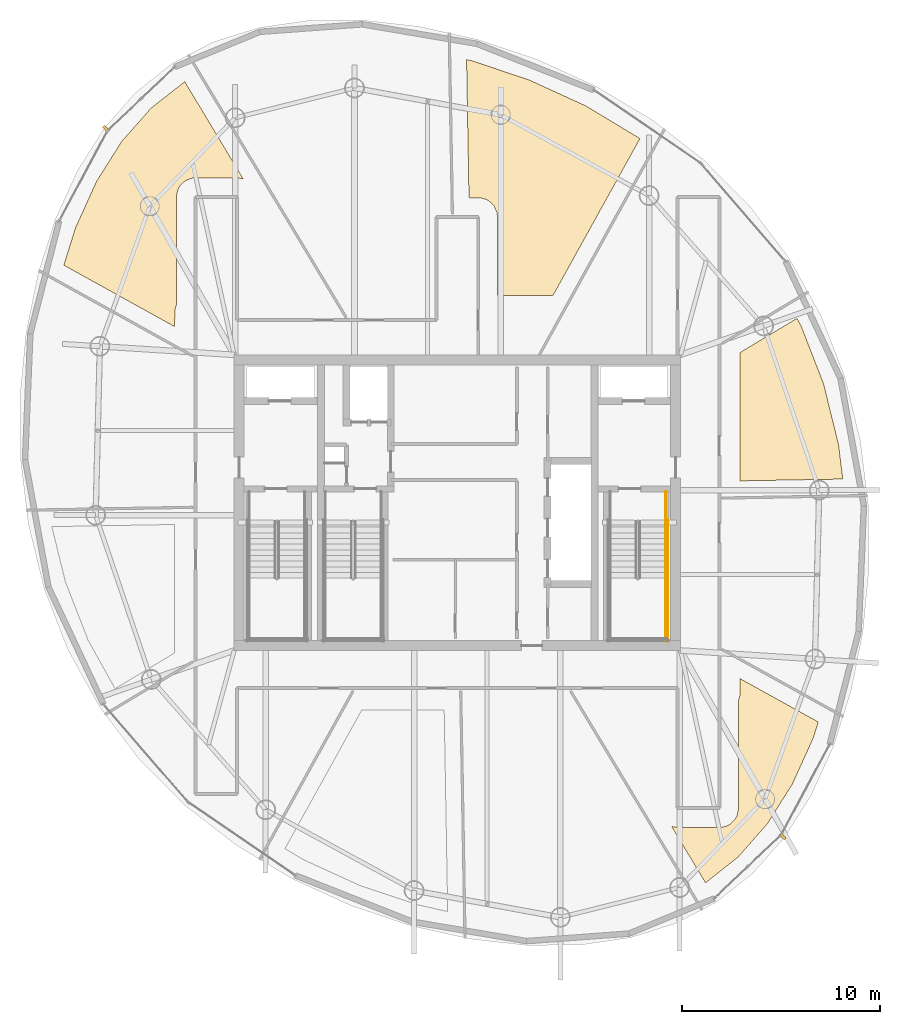
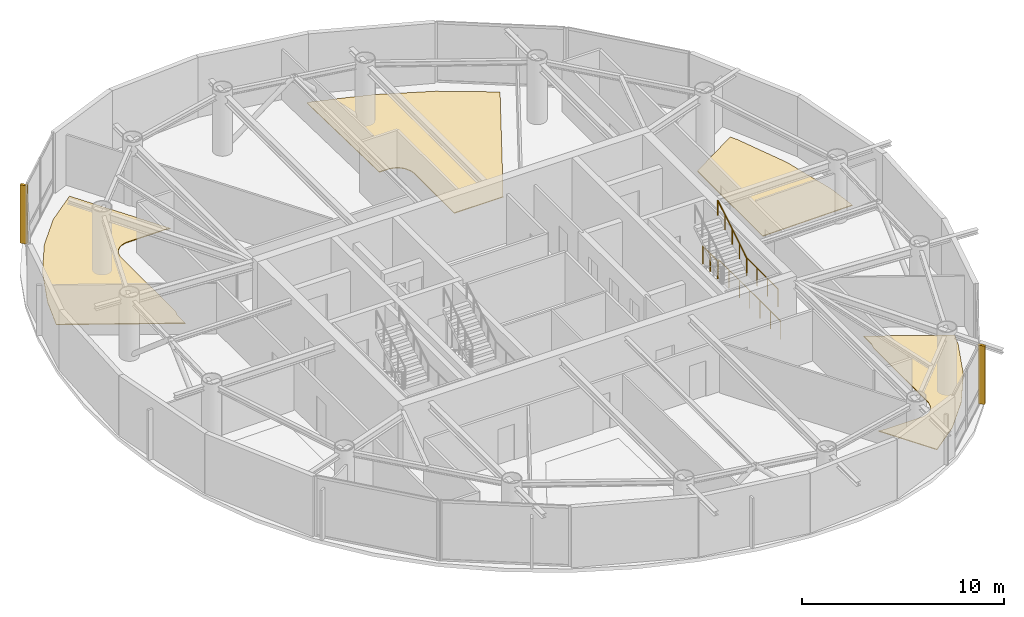
# One storey, part 16 of 16: 4 coverings, 4 railings, 2 shading devices.
"""IFC4 building model written with IfcOpenShell, lengths in metres."""

from ifc_helpers import new_model, si_unit, direction, frame, origin, origin_2d, place, context, subcontext, project, spatial, polyline, rectangle, circle, outline, extrude, material, layer, layer_set, type_object, element, save


model = new_model("IFC4")

# Units and contexts
model_context = context("Model", 3, precision=1e-05, world=origin(), true_north=direction((0.0, 1.0)))
body_context = subcontext(model_context, "Body", "Model", "MODEL_VIEW")
ifc_project = project(units=[si_unit("LENGTHUNIT", "METRE"), si_unit("AREAUNIT", "SQUARE_METRE"), si_unit("VOLUMEUNIT", "CUBIC_METRE"), si_unit("PLANEANGLEUNIT", "RADIAN"), si_unit("MASSUNIT", "GRAM", prefix="KILO")], contexts=[model_context])

# Site, building, storey
site_placement = place(None, origin())
site = spatial("IfcSite", under=ifc_project, at=site_placement, CompositionType="ELEMENT")
building_placement = place(site_placement, origin())
building = spatial("IfcBuilding", under=site, at=building_placement, Name="Bramvorn Convention Spire", CompositionType="ELEMENT")
storey_placement = place(building_placement, frame((0.0, 0.0, 261.300048828125)))
storey = spatial("IfcBuildingStorey", under=building, at=storey_placement, Name="L66", CompositionType="ELEMENT", Elevation=261.300048828125)

# Coverings
ifc_material_1 = material(Name="Calcium-Sulphate Raised Access Office Floor", Category="steel")
ifc_layer = layer(ifc_material_1, 0.044921875)
ifc_layer_set = layer_set([ifc_layer], Name="Calcium-Sulphate Raised Access Office Floor - FLR-RAISED-45")
covering_type = type_object("IfcCoveringType", Name="FLR-RAISED-45", PredefinedType="FLOORING", material=ifc_layer_set)
covering_1_placement = place(storey_placement, origin())
element("IfcCovering", 1, at=covering_1_placement, inside=storey, type_object=covering_type, Name="L66 Partner Office Chamber 1 1 raised floor finish", PredefinedType="FLOORING", context=body_context, shape_type="SweptSolid", body=[
    extrude(outline(polyline([(55.3134765625, 34.931884765625), (55.114013671875, 35.29150390625), (52.25, 33.570556640625), (52.25, 27.098876953125), (57.423583984375, 27.189208984375), (57.21240234375, 28.917724609375), (56.4560546875, 31.990478515625), (55.3134765625, 34.931884765625)])), origin(), (0.0, 0.0, 1.0), 0.044921875),
])
covering_2_placement = place(storey_placement, origin())
element("IfcCovering", 2, at=covering_2_placement, inside=storey, type_object=covering_type, Name="L66 Partner Office Chamber 3 3 raised floor finish", PredefinedType="FLOORING", context=body_context, shape_type="SweptSolid", body=[
    extrude(outline(polyline([(38.744384765625, 48.27099609375), (38.460205078125, 48.3349609375), (38.581787109375, 41.3701171875), (39.1865234375, 41.360107421875), (39.469970703125, 41.274169921875), (39.632568359375, 41.175537109375), (39.825439453125, 40.982421875), (39.989501953125, 40.641357421875), (40.02001953125, 40.39990234375), (40.02001953125, 36.449951171875), (42.82080078125, 36.449951171875), (47.202392578125, 44.3544921875), (44.464599609375, 46.002197265625), (41.626953125, 47.301513671875), (38.744384765625, 48.27099609375)])), origin(), (0.0, 0.0, 1.0), 0.044921875),
])
covering_3_placement = place(storey_placement, origin())
element("IfcCovering", 3, at=covering_3_placement, inside=storey, type_object=covering_type, Name="L66 Associate Office Chamber 5 5 raised floor finish", PredefinedType="FLOORING", context=body_context, shape_type="SweptSolid", body=[
    extrude(outline(polyline([(18.753662109375, 39.864990234375), (18.156005859375, 37.971435546875), (23.75, 34.870849609375), (23.754150390625, 35.683349609375), (23.830078125, 35.95751953125), (23.8310546875, 41.441650390625), (23.920654296875, 41.809326171875), (24.0244140625, 41.982421875), (24.217529296875, 42.175537109375), (24.390625, 42.279296875), (24.65185546875, 42.3583984375), (26.89990234375, 42.3701171875), (27.20166015625, 42.321044921875), (24.2568359375, 47.221923828125), (22.55322265625, 45.882080078125), (21.08203125, 44.214111328125), (19.8125, 42.202392578125), (18.753662109375, 39.864990234375)])), origin(), (0.0, 0.0, 1.0), 0.044921875),
])
covering_4_placement = place(storey_placement, origin())
element("IfcCovering", 4, at=covering_4_placement, inside=storey, type_object=covering_type, Name="L66 Tenant Briefing Room 11 raised floor finish", PredefinedType="FLOORING", context=body_context, shape_type="SweptSolid", body=[
    extrude(outline(polyline([(50.50537109375, 6.838134765625), (52.139404296875, 8.130615234375), (53.610595703125, 9.798583984375), (54.880615234375, 11.810546875), (55.939208984375, 14.14794921875), (56.190673828125, 14.94482421875), (52.25, 17.129150390625), (52.245849609375, 16.316650390625), (52.169921875, 16.04248046875), (52.1689453125, 10.558349609375), (52.079345703125, 10.190673828125), (51.9755859375, 10.017578125), (51.782470703125, 9.824462890625), (51.609375, 9.720703125), (51.34814453125, 9.6416015625), (49.10009765625, 9.6298828125), (48.79833984375, 9.678955078125), (50.50537109375, 6.838134765625)])), origin(), (0.0, 0.0, 1.0), 0.044921875),
])

# Railings
ifc_material_2 = material(Name="Painted Steel Balustrade & Guardrail", Category="steel")
railing_type_1 = type_object("IfcRailingType", Name="RL-STAIR-GUARD-1100", PredefinedType="GUARDRAIL", material=ifc_material_2)
railing_1_placement = place(storey_placement, frame((48.5, 22.199951171875, 1.925048828125)))
element("IfcRailing", 5, at=railing_1_placement, inside=storey, type_object=railing_type_1, Name="L66 ST2 stair guard 4", PredefinedType="GUARDRAIL", context=body_context, shape_type="SweptSolid", body=[
    extrude(circle(Radius=0.02392578125, at=origin_2d()), frame((0.0, 0.0, 1.076171875), z_axis=(0.0, -1.0, 0.0), x_axis=(1.0, 0.0, 0.0)), (0.0, 0.0, 1.0), 3.099853515625),
    extrude(circle(Radius=0.02099609375, at=origin_2d()), origin(), (0.0, 0.0, 1.0), 1.052001953125),
    extrude(circle(Radius=0.02099609375, at=origin_2d()), frame((0.0, -1.033203125, 0.0)), (0.0, 0.0, 1.0), 1.052001953125),
    extrude(circle(Radius=0.02099609375, at=origin_2d()), frame((0.0, -2.066650390625, 0.0)), (0.0, 0.0, 1.0), 1.052001953125),
    extrude(circle(Radius=0.02099609375, at=origin_2d()), frame((0.0, -3.099853515625, 0.0)), (0.0, 0.0, 1.0), 1.052001953125),
])
railing_2_placement = place(storey_placement, frame((48.5, 26.550048828125, 0.0)))
element("IfcRailing", 6, at=railing_2_placement, inside=storey, type_object=railing_type_1, Name="L66 ST2 stair guard 9", PredefinedType="GUARDRAIL", context=body_context, shape_type="SweptSolid", body=[
    extrude(circle(Radius=0.02392578125, at=origin_2d()), frame((0.0, 0.0, 1.076171875), z_axis=(0.0, -1.0, 0.0), x_axis=(1.0, 0.0, 0.0)), (0.0, 0.0, 1.0), 1.5),
    extrude(circle(Radius=0.02099609375, at=origin_2d()), origin(), (0.0, 0.0, 1.0), 1.052001953125),
    extrude(circle(Radius=0.02099609375, at=origin_2d()), frame((0.0, -0.75, 0.0)), (0.0, 0.0, 1.0), 1.052001953125),
    extrude(circle(Radius=0.02099609375, at=origin_2d()), frame((0.0, -1.5, 0.0)), (0.0, 0.0, 1.0), 1.052001953125),
])
railing_3_placement = place(storey_placement, frame((48.60009765625, 25.14990234375, 0.0)))
element("IfcRailing", 7, at=railing_3_placement, inside=storey, type_object=railing_type_1, Name="L66 ST2 stair guard 11", PredefinedType="GUARDRAIL", context=body_context, shape_type="SweptSolid", body=[
    extrude(circle(Radius=0.02392578125, at=origin_2d()), frame((0.0, 0.0, 1.076171875), z_axis=(0.0, -1.0, 0.0), x_axis=(1.0, 0.0, 0.0)), (0.0, 0.0, 1.0), 6.14990234375),
    extrude(circle(Radius=0.02099609375, at=origin_2d()), origin(), (0.0, 0.0, 1.0), 1.052001953125),
    extrude(circle(Radius=0.02099609375, at=origin_2d()), frame((0.0, -1.02490234375, 0.0)), (0.0, 0.0, 1.0), 1.052001953125),
    extrude(circle(Radius=0.02099609375, at=origin_2d()), frame((0.0, -2.050048828125, 0.0)), (0.0, 0.0, 1.0), 1.052001953125),
    extrude(circle(Radius=0.02099609375, at=origin_2d()), frame((0.0, -3.074951171875, 0.0)), (0.0, 0.0, 1.0), 1.052001953125),
    extrude(circle(Radius=0.02099609375, at=origin_2d()), frame((0.0, -4.099853515625, 0.0)), (0.0, 0.0, 1.0), 1.052001953125),
    extrude(circle(Radius=0.02099609375, at=origin_2d()), frame((0.0, -5.125, 0.0)), (0.0, 0.0, 1.0), 1.052001953125),
    extrude(circle(Radius=0.02099609375, at=origin_2d()), frame((0.0, -6.14990234375, 0.0)), (0.0, 0.0, 1.0), 1.052001953125),
])
ifc_material_3 = material(Name="Brushed Bronze Tubular Handrail", Category="aluminium")
railing_type_2 = type_object("IfcRailingType", Name="RL-STAIR-HR-920", PredefinedType="HANDRAIL", material=ifc_material_3)
railing_4_placement = place(storey_placement, frame((48.5, 22.199951171875, 2.099853515625)))
element("IfcRailing", 8, at=railing_4_placement, inside=storey, type_object=railing_type_2, Name="L66 ST2 stair handrail 2", PredefinedType="HANDRAIL", context=body_context, shape_type="SweptSolid", body=[
    extrude(circle(Radius=0.02392578125, at=origin_2d()), frame((0.0, 0.0, 0.89599609375), z_axis=(0.0, 0.852179220489, 0.52325001306), x_axis=(-1.0, 0.0, 0.0)), (0.0, 0.0, 1.0), 3.344482421875),
    extrude(circle(Radius=0.02099609375, at=origin_2d()), origin(), (0.0, 0.0, 1.0), 0.871826171875),
    extrude(circle(Radius=0.02099609375, at=origin_2d()), frame((0.0, 0.71240234375, 0.4375)), (0.0, 0.0, 1.0), 0.871826171875),
    extrude(circle(Radius=0.02099609375, at=origin_2d()), frame((0.0, 1.425048828125, 0.875)), (0.0, 0.0, 1.0), 0.871826171875),
    extrude(circle(Radius=0.02099609375, at=origin_2d()), frame((0.0, 2.1376953125, 1.3125)), (0.0, 0.0, 1.0), 0.871826171875),
    extrude(circle(Radius=0.02099609375, at=origin_2d()), frame((0.0, 2.85009765625, 1.75)), (0.0, 0.0, 1.0), 0.871826171875),
])

# Shading devices
ifc_material_4 = material(Name="Extruded Champagne Bronze Aluminium Lancet Fin", Category="aluminium")
shading_device_type = type_object("IfcShadingDeviceType", Name="SHD-FIN-LANCET", PredefinedType="SHUTTER", material=ifc_material_4)
for number, where, z_axis, x_axis, name in (
    (9, (54.40625, 9.174560546875, 0.050048828125), (0.0, 0.0, 1.0), (0.698128421299, -0.71597256049, 0.0), "L66 Gothic bronze wind-corner fin 01"),
    (10, (20.288330078125, 44.83984375, 0.050048828125), (0.0, 0.0, 1.0), (-0.684956294179, 0.728584157846, 0.0), "L66 Gothic bronze wind-corner fin 13"),
):
    element("IfcShadingDevice", number, at=place(storey_placement, frame(where, z_axis=z_axis, x_axis=x_axis)), inside=storey, type_object=shading_device_type, Name=name, PredefinedType="SHUTTER", context=body_context, shape_type="SweptSolid", body=[
        extrude(rectangle(XDim=0.360107421875, YDim=0.139892578125, at=origin_2d()), origin(), (0.0, 0.0, 1.0), 3.52490234375),
    ])

save(model, "model.ifc")
